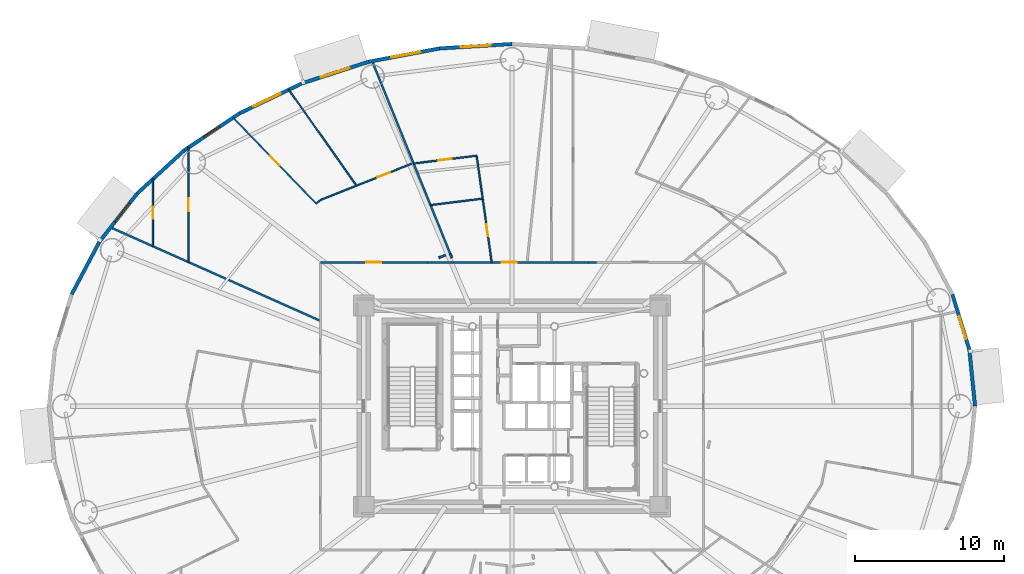
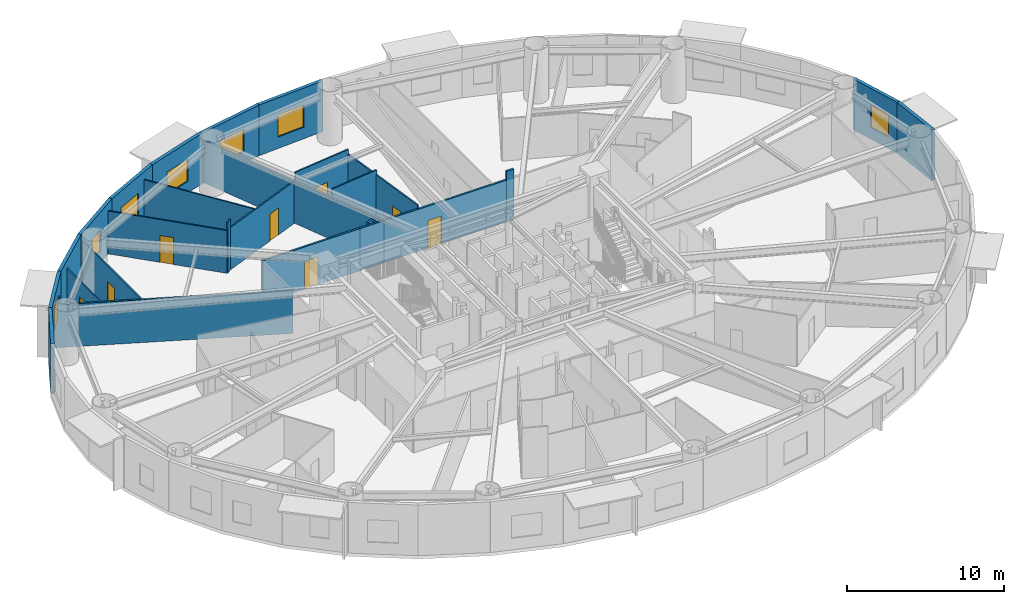
# One storey, part 11 of 20: 27 walls, 8 doors, 7 windows, 15 openings.
"""IFC4 building model written with IfcOpenShell, lengths in metres."""

from ifc_helpers import new_model, si_unit, direction, frame, frame_2d, origin, origin_2d, place, context, subcontext, project, spatial, rectangle, extrude, source, transform, mapped, material, layer, layer_set, type_object, element, fill, save


model = new_model("IFC4")

# Units and contexts
model_context = context("Model", 3, precision=1e-05, world=origin(), true_north=direction((0.0, 1.0)))
body_context = subcontext(model_context, "Body", "Model", "MODEL_VIEW")
ifc_project = project(units=[si_unit("LENGTHUNIT", "METRE"), si_unit("AREAUNIT", "SQUARE_METRE"), si_unit("VOLUMEUNIT", "CUBIC_METRE"), si_unit("PLANEANGLEUNIT", "RADIAN"), si_unit("MASSUNIT", "GRAM", prefix="KILO")], contexts=[model_context])

# Site, building, storey
site_placement = place(None, origin())
site = spatial("IfcSite", under=ifc_project, at=site_placement, CompositionType="ELEMENT")
building_placement = place(site_placement, origin())
building = spatial("IfcBuilding", under=site, at=building_placement, Name="Linh Dai School and Residence Tower", CompositionType="ELEMENT")
storey_placement = place(building_placement, frame((0.0, 0.0, 66.0)))
storey = spatial("IfcBuildingStorey", under=building, at=storey_placement, Name="L15", CompositionType="ELEMENT", Elevation=66.0)

# Wall
ifc_material_1 = material(Name="Precast Concrete B45 (C35/45)", Category="concrete")
ifc_layer_1 = layer(ifc_material_1, 0.239990234375)
ifc_layer_set_1 = layer_set([ifc_layer_1], Name="Precast Concrete B45 (C35/45)")
wall_type_1 = type_object("IfcWallType", Name="EW-TC-240", PredefinedType="SOLIDWALL", material=ifc_layer_set_1)
wall_1_placement = place(storey_placement, frame((66.693359375, 30.796875, 0.0), z_axis=(0.0, 0.0, 1.0), x_axis=(0.099997795174, -0.994987658698, 0.0)))
element("IfcWall", 1, at=wall_1_placement, inside=storey, type_object=wall_type_1, Name="L15 Terracotta Exterior Wall 01", PredefinedType="SOLIDWALL", context=body_context, shape_type="SweptSolid", body=[
    extrude(rectangle(XDim=3.81591796875, YDim=0.239990234375, at=frame_2d((1.907958984375, 0.0))), origin(), (0.0, 0.0, 1.0), 3.949951171875),
])

# Wall, opening, window
wall_2_placement = place(storey_placement, frame((65.5576171875, 34.50146484375, 0.0), z_axis=(0.0, 0.0, 1.0), x_axis=(0.293111631758, -0.956078224482, 0.0)))
wall_2 = element("IfcWall", 2, at=wall_2_placement, inside=storey, type_object=wall_type_1, Name="L15 Terracotta Exterior Wall 02", PredefinedType="SOLIDWALL", context=body_context, shape_type="SweptSolid", body=[
    extrude(rectangle(XDim=3.874755859375, YDim=0.239990234375, at=frame_2d((1.9375, 0.0))), origin(), (0.0, 0.0, 1.0), 3.949951171875),
])
opening_1_placement = place(wall_2_placement, frame((1.5341796875, 0.0, 0.89990234375)))
opening_1 = element("IfcOpeningElement", 3, at=opening_1_placement, cuts=wall_2, Name="Opening W2", PredefinedType="OPENING", context=body_context, shape_type="SweptSolid", body=[
    extrude(rectangle(XDim=1.60009765625, YDim=1.75, at=origin_2d()), frame((0.800048828125, 0.1298828125, 0.875), z_axis=(0.0, -1.0, 0.0), x_axis=(1.0, 0.0, 0.0)), (0.0, 0.0, 1.0), 0.260009765625),
])
ifc_material_2 = material(Name="Double Low-E Insulated Glazing", Category="glass")
window_type_1 = type_object("IfcWindowType", Name="WN-RES-1600x1750", PartitioningType="DOUBLE_PANEL_VERTICAL", PredefinedType="WINDOW", material=ifc_material_2)
shared_shape_1 = source(origin(), body_context, "Body", "SweptSolid", [
    extrude(rectangle(XDim=1.60009765625, YDim=1.75, at=origin_2d()), frame((0.800048828125, 0.030029296875, 0.875), z_axis=(0.0, -1.0, 0.0), x_axis=(1.0, 0.0, 0.0)), (0.0, 0.0, 1.0), 0.06005859375),
])
window_1_placement = place(opening_1_placement, origin())
window_1 = element("IfcWindow", 4, at=window_1_placement, inside=storey, type_object=window_type_1, Name="L15 Exterior Window 02.1", OverallHeight=1.75, OverallWidth=1.60009765625, PartitioningType="DOUBLE_PANEL_VERTICAL", PredefinedType="WINDOW", context=body_context, shape_type="MappedRepresentation", body=[
    mapped(shared_shape_1, transform((0.0, 0.0, 0.0), x_axis=(1.0, 0.0, 0.0), y_axis=(0.0, 1.0, 0.0), z_axis=(0.0, 0.0, 1.0), scale=1.0)),
])
fill(opening_1, window_1)

wall_3_placement = place(storey_placement, frame((31.134521484375, 51.005126953125, 0.0), z_axis=(0.0, 0.0, 1.0), x_axis=(0.998106954071, 0.061502099433, 0.0)))
wall_3 = element("IfcWall", 5, at=wall_3_placement, inside=storey, type_object=wall_type_1, Name="L15 Terracotta Exterior Wall 11", PredefinedType="SOLIDWALL", context=body_context, shape_type="SweptSolid", body=[
    extrude(rectangle(XDim=4.874755859375, YDim=0.239990234375, at=frame_2d((2.4375, 0.0))), origin(), (0.0, 0.0, 1.0), 3.949951171875),
])
opening_2_placement = place(wall_3_placement, frame((1.437255859375, 0.0, 0.89990234375)))
opening_2 = element("IfcOpeningElement", 6, at=opening_2_placement, cuts=wall_3, Name="Opening W1", PredefinedType="OPENING", context=body_context, shape_type="SweptSolid", body=[
    extrude(rectangle(XDim=2.0, YDim=1.75, at=origin_2d()), frame((1.0, 0.1298828125, 0.875), z_axis=(0.0, -1.0, 0.0), x_axis=(1.0, 0.0, 0.0)), (0.0, 0.0, 1.0), 0.260009765625),
])
window_type_2 = type_object("IfcWindowType", Name="WN-RES-2000x1750", PartitioningType="DOUBLE_PANEL_VERTICAL", PredefinedType="WINDOW", material=ifc_material_2)
shared_shape_2 = source(origin(), body_context, "Body", "SweptSolid", [
    extrude(rectangle(XDim=2.0, YDim=1.75, at=origin_2d()), frame((1.0, 0.030029296875, 0.875), z_axis=(0.0, -1.0, 0.0), x_axis=(1.0, 0.0, 0.0)), (0.0, 0.0, 1.0), 0.06005859375),
])
window_2_placement = place(opening_2_placement, origin())
window_2 = element("IfcWindow", 7, at=window_2_placement, inside=storey, type_object=window_type_2, Name="L15 Exterior Window 11.1", OverallHeight=1.75, OverallWidth=2.0, PartitioningType="DOUBLE_PANEL_VERTICAL", PredefinedType="WINDOW", context=body_context, shape_type="MappedRepresentation", body=[
    mapped(shared_shape_2, transform((0.0, 0.0, 0.0), x_axis=(1.0, 0.0, 0.0), y_axis=(0.0, 1.0, 0.0), z_axis=(0.0, 0.0, 1.0), scale=1.0)),
])
fill(opening_2, window_2)

wall_4_placement = place(storey_placement, frame((26.389404296875, 50.11328125, 0.0), z_axis=(0.0, 0.0, 1.0), x_axis=(0.982791952378, 0.184715939598, 0.0)))
wall_4 = element("IfcWall", 8, at=wall_4_placement, inside=storey, type_object=wall_type_1, Name="L15 Terracotta Exterior Wall 12", PredefinedType="SOLIDWALL", context=body_context, shape_type="SweptSolid", body=[
    extrude(rectangle(XDim=4.828125, YDim=0.239990234375, at=frame_2d((2.4140625, 0.0))), origin(), (0.0, 0.0, 1.0), 3.949951171875),
])
opening_3_placement = place(wall_4_placement, frame((1.536376953125, 0.0, 0.89990234375)))
opening_3 = element("IfcOpeningElement", 9, at=opening_3_placement, cuts=wall_4, Name="Opening W1", PredefinedType="OPENING", context=body_context, shape_type="SweptSolid", body=[
    extrude(rectangle(XDim=2.0, YDim=1.75, at=origin_2d()), frame((1.0, 0.1298828125, 0.875), z_axis=(0.0, -1.0, 0.0), x_axis=(1.0, 0.0, 0.0)), (0.0, 0.0, 1.0), 0.260009765625),
])
window_3_placement = place(opening_3_placement, origin())
window_3 = element("IfcWindow", 10, at=window_3_placement, inside=storey, type_object=window_type_2, Name="L15 Exterior Window 12.1", OverallHeight=1.75, OverallWidth=2.0, PartitioningType="DOUBLE_PANEL_VERTICAL", PredefinedType="WINDOW", context=body_context, shape_type="MappedRepresentation", body=[
    mapped(shared_shape_2, transform((0.0, 0.0, 0.0), x_axis=(1.0, 0.0, 0.0), y_axis=(0.0, 1.0, 0.0), z_axis=(0.0, 0.0, 1.0), scale=1.0)),
])
fill(opening_3, window_3)

wall_5_placement = place(storey_placement, frame((21.8818359375, 48.651123046875, 0.0), z_axis=(0.0, 0.0, 1.0), x_axis=(0.951207699013, 0.308551313946, 0.0)))
wall_5 = element("IfcWall", 11, at=wall_5_placement, inside=storey, type_object=wall_type_1, Name="L15 Terracotta Exterior Wall 13", PredefinedType="SOLIDWALL", context=body_context, shape_type="SweptSolid", body=[
    extrude(rectangle(XDim=4.73876953125, YDim=0.239990234375, at=frame_2d((2.369384765625, 0.0))), origin(), (0.0, 0.0, 1.0), 3.949951171875),
])
opening_4_placement = place(wall_5_placement, frame((1.369384765625, 0.0, 0.89990234375)))
opening_4 = element("IfcOpeningElement", 12, at=opening_4_placement, cuts=wall_5, Name="Opening W1", PredefinedType="OPENING", context=body_context, shape_type="SweptSolid", body=[
    extrude(rectangle(XDim=2.0, YDim=1.75, at=origin_2d()), frame((1.0, 0.1298828125, 0.875), z_axis=(0.0, -1.0, 0.0), x_axis=(1.0, 0.0, 0.0)), (0.0, 0.0, 1.0), 0.260009765625),
])
window_4_placement = place(opening_4_placement, origin())
window_4 = element("IfcWindow", 13, at=window_4_placement, inside=storey, type_object=window_type_2, Name="L15 Exterior Window 13.1", OverallHeight=1.75, OverallWidth=2.0, PartitioningType="DOUBLE_PANEL_VERTICAL", PredefinedType="WINDOW", context=body_context, shape_type="MappedRepresentation", body=[
    mapped(shared_shape_2, transform((0.0, 0.0, 0.0), x_axis=(1.0, 0.0, 0.0), y_axis=(0.0, 1.0, 0.0), z_axis=(0.0, 0.0, 1.0), scale=1.0)),
])
fill(opening_4, window_4)

wall_6_placement = place(storey_placement, frame((17.722900390625, 46.65576171875, 0.0), z_axis=(0.0, 0.0, 1.0), x_axis=(0.901601503137, 0.432567601123, 0.0)))
wall_6 = element("IfcWall", 14, at=wall_6_placement, inside=storey, type_object=wall_type_1, Name="L15 Terracotta Exterior Wall 14", PredefinedType="SOLIDWALL", context=body_context, shape_type="SweptSolid", body=[
    extrude(rectangle(XDim=4.61279296875, YDim=0.239990234375, at=frame_2d((2.306396484375, 0.0))), origin(), (0.0, 0.0, 1.0), 3.949951171875),
])
opening_5_placement = place(wall_6_placement, frame((1.03369140625, 0.0, 0.89990234375)))
opening_5 = element("IfcOpeningElement", 15, at=opening_5_placement, cuts=wall_6, Name="Opening W1", PredefinedType="OPENING", context=body_context, shape_type="SweptSolid", body=[
    extrude(rectangle(XDim=2.0, YDim=1.75, at=origin_2d()), frame((1.0, 0.1298828125, 0.875), z_axis=(0.0, -1.0, 0.0), x_axis=(1.0, 0.0, 0.0)), (0.0, 0.0, 1.0), 0.260009765625),
])
window_5_placement = place(opening_5_placement, origin())
window_5 = element("IfcWindow", 16, at=window_5_placement, inside=storey, type_object=window_type_2, Name="L15 Exterior Window 14.1", OverallHeight=1.75, OverallWidth=2.0, PartitioningType="DOUBLE_PANEL_VERTICAL", PredefinedType="WINDOW", context=body_context, shape_type="MappedRepresentation", body=[
    mapped(shared_shape_2, transform((0.0, 0.0, 0.0), x_axis=(1.0, 0.0, 0.0), y_axis=(0.0, 1.0, 0.0), z_axis=(0.0, 0.0, 1.0), scale=1.0)),
])
fill(opening_5, window_5)

wall_7_placement = place(storey_placement, frame((14.015380859375, 44.17626953125, 0.0), z_axis=(0.0, 0.0, 1.0), x_axis=(0.831240982525, 0.555912249343, 0.0)))
wall_7 = element("IfcWall", 17, at=wall_7_placement, inside=storey, type_object=wall_type_1, Name="L15 Terracotta Exterior Wall 15", PredefinedType="SOLIDWALL", context=body_context, shape_type="SweptSolid", body=[
    extrude(rectangle(XDim=4.460205078125, YDim=0.239990234375, at=frame_2d((2.22998046875, 0.0))), origin(), (0.0, 0.0, 1.0), 3.949951171875),
])
opening_6_placement = place(wall_7_placement, frame((1.5927734375, 0.0, 0.89990234375)))
opening_6 = element("IfcOpeningElement", 18, at=opening_6_placement, cuts=wall_7, Name="Opening W3", PredefinedType="OPENING", context=body_context, shape_type="SweptSolid", body=[
    extrude(rectangle(XDim=1.25, YDim=1.64990234375, at=origin_2d()), frame((0.625, 0.1298828125, 0.824951171875), z_axis=(0.0, -1.0, 0.0), x_axis=(1.0, 0.0, 0.0)), (0.0, 0.0, 1.0), 0.260009765625),
])
window_type_3 = type_object("IfcWindowType", Name="WN-RES-1250x1650", PartitioningType="SINGLE_PANEL", PredefinedType="WINDOW", material=ifc_material_2)
shared_shape_3 = source(origin(), body_context, "Body", "SweptSolid", [
    extrude(rectangle(XDim=1.25, YDim=1.64990234375, at=origin_2d()), frame((0.625, 0.030029296875, 0.824951171875), z_axis=(0.0, -1.0, 0.0), x_axis=(1.0, 0.0, 0.0)), (0.0, 0.0, 1.0), 0.06005859375),
])
window_6_placement = place(opening_6_placement, origin())
window_6 = element("IfcWindow", 19, at=window_6_placement, inside=storey, type_object=window_type_3, Name="L15 Dwelling Window U1504-LIV", OverallHeight=1.64990234375, OverallWidth=1.25, PartitioningType="SINGLE_PANEL", PredefinedType="WINDOW", context=body_context, shape_type="MappedRepresentation", body=[
    mapped(shared_shape_3, transform((0.0, 0.0, 0.0), x_axis=(1.0, 0.0, 0.0), y_axis=(0.0, 1.0, 0.0), z_axis=(0.0, 0.0, 1.0), scale=1.0)),
])
fill(opening_6, window_6)

# Wall
wall_8_placement = place(storey_placement, frame((10.850341796875, 41.274658203125, 0.0), z_axis=(0.0, 0.0, 1.0), x_axis=(0.737116376281, 0.67576582321, 0.0)))
element("IfcWall", 20, at=wall_8_placement, inside=storey, type_object=wall_type_1, Name="L15 Terracotta Exterior Wall 16", PredefinedType="SOLIDWALL", context=body_context, shape_type="SweptSolid", body=[
    extrude(rectangle(XDim=4.293701171875, YDim=0.239990234375, at=frame_2d((2.14697265625, 0.0))), origin(), (0.0, 0.0, 1.0), 3.949951171875),
])

# Wall, opening, window
wall_9_placement = place(storey_placement, frame((8.305419921875, 38.022705078125, 0.0), z_axis=(0.0, 0.0, 1.0), x_axis=(0.616295508253, 0.787514981767, 0.0)))
wall_9 = element("IfcWall", 21, at=wall_9_placement, inside=storey, type_object=wall_type_1, Name="L15 Terracotta Exterior Wall 17", PredefinedType="SOLIDWALL", context=body_context, shape_type="SweptSolid", body=[
    extrude(rectangle(XDim=4.12939453125, YDim=0.239990234375, at=frame_2d((2.064697265625, 0.0))), origin(), (0.0, 0.0, 1.0), 3.949951171875),
])
opening_7_placement = place(wall_9_placement, frame((1.70068359375, 0.0, 0.89990234375)))
opening_7 = element("IfcOpeningElement", 22, at=opening_7_placement, cuts=wall_9, Name="Opening W2", PredefinedType="OPENING", context=body_context, shape_type="SweptSolid", body=[
    extrude(rectangle(XDim=1.60009765625, YDim=1.75, at=origin_2d()), frame((0.800048828125, 0.1298828125, 0.875), z_axis=(0.0, -1.0, 0.0), x_axis=(1.0, 0.0, 0.0)), (0.0, 0.0, 1.0), 0.260009765625),
])
window_7_placement = place(opening_7_placement, origin())
window_7 = element("IfcWindow", 23, at=window_7_placement, inside=storey, type_object=window_type_1, Name="L15 Exterior Window 17.1", OverallHeight=1.75, OverallWidth=1.60009765625, PartitioningType="DOUBLE_PANEL_VERTICAL", PredefinedType="WINDOW", context=body_context, shape_type="MappedRepresentation", body=[
    mapped(shared_shape_1, transform((0.0, 0.0, 0.0), x_axis=(1.0, 0.0, 0.0), y_axis=(0.0, 1.0, 0.0), z_axis=(0.0, 0.0, 1.0), scale=1.0)),
])
fill(opening_7, window_7)

# Walls
wall_10_placement = place(storey_placement, frame((6.4423828125, 34.50146484375, 0.0), z_axis=(0.0, 0.0, 1.0), x_axis=(0.467662443071, 0.883907144072, 0.0)))
element("IfcWall", 24, at=wall_10_placement, inside=storey, type_object=wall_type_1, Name="L15 Terracotta Exterior Wall 18", PredefinedType="SOLIDWALL", context=body_context, shape_type="SweptSolid", body=[
    extrude(rectangle(XDim=3.983642578125, YDim=0.239990234375, at=frame_2d((1.99169921875, 0.0))), origin(), (0.0, 0.0, 1.0), 3.949951171875),
])
ifc_material_3 = material(Name="Autoclaved Aerated Concrete Blockwork", Category="masonry")
ifc_layer_2 = layer(ifc_material_3, 0.135009765625)
ifc_layer_set_2 = layer_set([ifc_layer_2], Name="Autoclaved Aerated Concrete Blockwork")
wall_type_2 = type_object("IfcWallType", Name="IW-CORR-135-EI90", PredefinedType="PARTITIONING", material=ifc_layer_set_2)
wall_11_placement = place(storey_placement, frame((9.0595703125, 38.99462890625, 0.0), z_axis=(0.0, 0.0, 1.0), x_axis=(0.913545036193, -0.406737589666, 0.0)))
element("IfcWall", 25, at=wall_11_placement, inside=storey, type_object=wall_type_2, Name="L15 Interior Partition Wall 003", PredefinedType="PARTITIONING", context=body_context, shape_type="SweptSolid", body=[
    extrude(rectangle(XDim=15.423828125, YDim=0.135009765625, at=frame_2d((7.7119140625, 0.0))), origin(), (0.0, 0.0, 1.0), 3.3349609375),
])

# Wall, opening, door
wall_12_placement = place(storey_placement, frame((23.14990234375, 36.64990234375, 0.0), z_axis=(0.0, 0.0, 1.0), x_axis=(1.0, 0.0, 0.0)))
wall_12 = element("IfcWall", 26, at=wall_12_placement, inside=storey, type_object=wall_type_2, Name="L15 Interior Partition Wall 022", PredefinedType="PARTITIONING", context=body_context, shape_type="SweptSolid", body=[
    extrude(rectangle(XDim=7.17138671875, YDim=0.135009765625, at=frame_2d((3.585693359375, 0.0))), origin(), (0.0, 0.0, 1.0), 3.284912109375),
])
opening_8_placement = place(wall_12_placement, frame((3.085693359375, 0.0, 0.0)))
opening_8 = element("IfcOpeningElement", 27, at=opening_8_placement, cuts=wall_12, Name="Opening D03", PredefinedType="OPENING", context=body_context, shape_type="SweptSolid", body=[
    extrude(rectangle(XDim=1.0, YDim=2.14990234375, at=origin_2d()), frame((0.5, 0.07763671875, 1.074951171875), z_axis=(0.0, -1.0, 0.0), x_axis=(1.0, 0.0, 0.0)), (0.0, 0.0, 1.0), 0.155029296875),
])
ifc_material_4 = material(Name="Fire-Rated Solid Timber Entrance Door", Category="wood")
door_type_1 = type_object("IfcDoorType", Name="DR-FLAT-1000x2150-FD60S", OperationType="NOTDEFINED", PredefinedType="DOOR", material=ifc_material_4)
shared_shape_4 = source(origin(), body_context, "Body", "SweptSolid", [
    extrude(rectangle(XDim=1.0, YDim=2.14990234375, at=origin_2d()), frame((0.5, 0.02490234375, 1.074951171875), z_axis=(0.0, -1.0, 0.0), x_axis=(1.0, 0.0, 0.0)), (0.0, 0.0, 1.0), 0.050048828125),
])
door_1_placement = place(opening_8_placement, origin())
door_1 = element("IfcDoor", 28, at=door_1_placement, inside=storey, type_object=door_type_1, Name="L15 U1504 Apartment Entrance Door", OperationType="SINGLE_SWING_RIGHT", OverallHeight=2.14990234375, OverallWidth=1.0, PredefinedType="DOOR", context=body_context, shape_type="MappedRepresentation", body=[
    mapped(shared_shape_4, transform((0.0, 0.0, 0.0), x_axis=(1.0, 0.0, 0.0), y_axis=(0.0, 1.0, 0.0), z_axis=(0.0, 0.0, 1.0), scale=1.0)),
])
fill(opening_8, door_1)

# Wall
wall_13_placement = place(storey_placement, frame((26.61083984375, 50.159912109375, 0.0), z_axis=(0.0, 0.0, 1.0), x_axis=(0.375705515061, -0.926739103498, 0.0)))
element("IfcWall", 29, at=wall_13_placement, inside=storey, type_object=wall_type_2, Name="L15 Interior Partition Wall 024", PredefinedType="PARTITIONING", context=body_context, shape_type="SweptSolid", body=[
    extrude(rectangle(XDim=13.947021484375, YDim=0.135009765625, at=frame_2d((6.9736328125, 0.0))), origin(), (0.0, 0.0, 1.0), 3.284912109375),
])

# Wall, opening, door
wall_14_placement = place(storey_placement, frame((32.087890625, 36.64990234375, 0.0), z_axis=(0.0, 0.0, 1.0), x_axis=(1.0, 0.0, 0.0)))
wall_14 = element("IfcWall", 30, at=wall_14_placement, inside=storey, type_object=wall_type_2, Name="L15 Interior Partition Wall 042", PredefinedType="PARTITIONING", context=body_context, shape_type="SweptSolid", body=[
    extrude(rectangle(XDim=9.035888671875, YDim=0.135009765625, at=frame_2d((4.51806640625, 0.0))), origin(), (0.0, 0.0, 1.0), 3.284912109375),
])
opening_9_placement = place(wall_14_placement, frame((3.23828125, 0.0, 0.0)))
opening_9 = element("IfcOpeningElement", 31, at=opening_9_placement, cuts=wall_14, Name="Opening D03", PredefinedType="OPENING", context=body_context, shape_type="SweptSolid", body=[
    extrude(rectangle(XDim=1.0, YDim=2.14990234375, at=origin_2d()), frame((0.5, 0.07763671875, 1.074951171875), z_axis=(0.0, -1.0, 0.0), x_axis=(1.0, 0.0, 0.0)), (0.0, 0.0, 1.0), 0.155029296875),
])
door_2_placement = place(opening_9_placement, origin())
door_2 = element("IfcDoor", 32, at=door_2_placement, inside=storey, type_object=door_type_1, Name="L15 U1503 Apartment Entrance Door", OperationType="SINGLE_SWING_LEFT", OverallHeight=2.14990234375, OverallWidth=1.0, PredefinedType="DOOR", context=body_context, shape_type="MappedRepresentation", body=[
    mapped(shared_shape_4, transform((0.0, 0.0, 0.0), x_axis=(1.0, 0.0, 0.0), y_axis=(0.0, 1.0, 0.0), z_axis=(0.0, 0.0, 1.0), scale=1.0)),
])
fill(opening_9, door_2)

# Walls
wall_15_placement = place(storey_placement, frame((30.331298828125, 36.64990234375, 0.0), z_axis=(0.0, 0.0, 1.0), x_axis=(1.0, 0.0, 0.0)))
element("IfcWall", 33, at=wall_15_placement, inside=storey, type_object=wall_type_2, Name="L15 Interior Partition Wall 116", PredefinedType="PARTITIONING", context=body_context, shape_type="SweptSolid", body=[
    extrude(rectangle(XDim=1.74658203125, YDim=0.135009765625, at=frame_2d((0.873291015625, 0.0))), origin(), (0.0, 0.0, 1.0), 3.284912109375),
])
wall_16_placement = place(storey_placement, frame((41.1337890625, 36.64990234375, 0.0), z_axis=(0.0, 0.0, 1.0), x_axis=(1.0, 0.0, 0.0)))
element("IfcWall", 34, at=wall_16_placement, inside=storey, type_object=wall_type_2, Name="L15 Interior Partition Wall 117", PredefinedType="PARTITIONING", context=body_context, shape_type="SweptSolid", body=[
    extrude(rectangle(XDim=0.534912109375, YDim=0.135009765625, at=frame_2d((0.267578125, 0.0))), origin(), (0.0, 0.0, 1.0), 3.949951171875),
])
wall_17_placement = place(storey_placement, frame((31.537841796875, 37.13525390625, 0.0), z_axis=(0.0, 0.0, 1.0), x_axis=(-0.928897092386, -0.370337942638, 0.0)))
element("IfcWall", 35, at=wall_17_placement, inside=storey, type_object=wall_type_2, Name="L15 Interior Partition Wall 130", PredefinedType="PARTITIONING", context=body_context, shape_type="SweptSolid", body=[
    extrude(rectangle(XDim=0.47998046875, YDim=0.135009765625, at=frame_2d((0.239990234375, 0.0))), origin(), (0.0, 0.0, 1.0), 3.284912109375),
])
ifc_layer_3 = layer(ifc_material_3, 0.14990234375)
ifc_layer_set_3 = layer_set([ifc_layer_3], Name="Autoclaved Aerated Concrete Blockwork")
wall_type_3 = type_object("IfcWallType", Name="IW-SCH-150-EI60", PredefinedType="PARTITIONING", material=ifc_layer_set_3)
wall_18_placement = place(storey_placement, frame((31.963134765625, 36.95751953125, 0.0), z_axis=(0.0, 0.0, 1.0), x_axis=(-0.375901177524, 0.926659756727, 0.0)))
element("IfcWall", 36, at=wall_18_placement, inside=storey, type_object=wall_type_3, Name="L15 Interior Partition Wall 129", PredefinedType="PARTITIONING", context=body_context, shape_type="SweptSolid", body=[
    extrude(rectangle(XDim=0.2890625, YDim=0.14990234375, at=frame_2d((0.14453125, 0.0))), origin(), (0.0, 0.0, 1.0), 3.284912109375),
])

# Wall, opening, door
ifc_material_5 = material(Name="Gypsum Plasterboard Acoustic Stud Partition", Category="masonry")
ifc_layer_4 = layer(ifc_material_5, 0.10009765625)
ifc_layer_set_4 = layer_set([ifc_layer_4], Name="Gypsum Plasterboard Acoustic Stud Partition")
wall_type_4 = type_object("IfcWallType", Name="IW-UNIT-100", PredefinedType="PARTITIONING", material=ifc_layer_set_4)
wall_19_placement = place(storey_placement, frame((11.90185546875, 37.729248046875, 0.0), z_axis=(0.0, 0.0, 1.0), x_axis=(0.0, 1.0, 0.0)))
wall_19 = element("IfcWall", 37, at=wall_19_placement, inside=storey, type_object=wall_type_4, Name="L15 Interior Partition Wall 005", PredefinedType="PARTITIONING", context=body_context, shape_type="SweptSolid", body=[
    extrude(rectangle(XDim=4.51611328125, YDim=0.10009765625, at=frame_2d((2.258056640625, 0.0))), origin(), (0.0, 0.0, 1.0), 3.3349609375),
])
opening_10_placement = place(wall_19_placement, frame((1.84814453125, 0.0, 0.0)))
opening_10 = element("IfcOpeningElement", 38, at=opening_10_placement, cuts=wall_19, Name="Opening D06", PredefinedType="OPENING", context=body_context, shape_type="SweptSolid", body=[
    extrude(rectangle(XDim=0.820068359375, YDim=2.10009765625, at=origin_2d()), frame((0.41015625, 0.06005859375, 1.050048828125), z_axis=(0.0, -1.0, 0.0), x_axis=(1.0, 0.0, 0.0)), (0.0, 0.0, 1.0), 0.1201171875),
])
ifc_material_6 = material(Name="Moisture-Resistant Timber Bathroom Door", Category="wood")
door_type_2 = type_object("IfcDoorType", Name="DR-WET-820x2100", OperationType="NOTDEFINED", PredefinedType="DOOR", material=ifc_material_6)
shared_shape_5 = source(origin(), body_context, "Body", "SweptSolid", [
    extrude(rectangle(XDim=0.820068359375, YDim=2.10009765625, at=origin_2d()), frame((0.41015625, 0.02490234375, 1.050048828125), z_axis=(0.0, -1.0, 0.0), x_axis=(1.0, 0.0, 0.0)), (0.0, 0.0, 1.0), 0.050048828125),
])
door_3_placement = place(opening_10_placement, origin())
door_3 = element("IfcDoor", 39, at=door_3_placement, inside=storey, type_object=door_type_2, Name="L15 Apartment U1504 Bathroom 1 Door", OperationType="SINGLE_SWING_RIGHT", OverallHeight=2.10009765625, OverallWidth=0.820068359375, PredefinedType="DOOR", context=body_context, shape_type="MappedRepresentation", body=[
    mapped(shared_shape_5, transform((0.0, 0.0, 0.0), x_axis=(1.0, 0.0, 0.0), y_axis=(0.0, 1.0, 0.0), z_axis=(0.0, 0.0, 1.0), scale=1.0)),
])
fill(opening_10, door_3)

wall_20_placement = place(storey_placement, frame((14.295654296875, 36.663330078125, 0.0), z_axis=(0.0, 0.0, 1.0), x_axis=(0.0, 1.0, 0.0)))
wall_20 = element("IfcWall", 40, at=wall_20_placement, inside=storey, type_object=wall_type_4, Name="L15 Interior Partition Wall 010", PredefinedType="PARTITIONING", context=body_context, shape_type="SweptSolid", body=[
    extrude(rectangle(XDim=7.706298828125, YDim=0.10009765625, at=frame_2d((3.85302734375, 0.0))), origin(), (0.0, 0.0, 1.0), 3.3349609375),
])
opening_11_placement = place(wall_20_placement, frame((3.4033203125, 0.0, 0.0)))
opening_11 = element("IfcOpeningElement", 41, at=opening_11_placement, cuts=wall_20, Name="Opening D05", PredefinedType="OPENING", context=body_context, shape_type="SweptSolid", body=[
    extrude(rectangle(XDim=0.89990234375, YDim=2.10009765625, at=origin_2d()), frame((0.449951171875, 0.06005859375, 1.050048828125), z_axis=(0.0, -1.0, 0.0), x_axis=(1.0, 0.0, 0.0)), (0.0, 0.0, 1.0), 0.1201171875),
])
ifc_material_7 = material(Name="Engineered Timber Internal Door", Category="wood")
door_type_3 = type_object("IfcDoorType", Name="DR-INT-900x2100", OperationType="NOTDEFINED", PredefinedType="DOOR", material=ifc_material_7)
shared_shape_6 = source(origin(), body_context, "Body", "SweptSolid", [
    extrude(rectangle(XDim=0.89990234375, YDim=2.10009765625, at=origin_2d()), frame((0.449951171875, 0.02490234375, 1.050048828125), z_axis=(0.0, -1.0, 0.0), x_axis=(1.0, 0.0, 0.0)), (0.0, 0.0, 1.0), 0.050048828125),
])
door_4_placement = place(opening_11_placement, origin())
door_4 = element("IfcDoor", 42, at=door_4_placement, inside=storey, type_object=door_type_3, Name="L15 Apartment U1504 Kitchen Door", OperationType="SINGLE_SWING_LEFT", OverallHeight=2.10009765625, OverallWidth=0.89990234375, PredefinedType="DOOR", context=body_context, shape_type="MappedRepresentation", body=[
    mapped(shared_shape_6, transform((0.0, 0.0, 0.0), x_axis=(1.0, 0.0, 0.0), y_axis=(0.0, 1.0, 0.0), z_axis=(0.0, 0.0, 1.0), scale=1.0)),
])
fill(opening_11, door_4)

wall_21_placement = place(storey_placement, frame((17.278076171875, 46.3642578125, 0.0), z_axis=(0.0, 0.0, 1.0), x_axis=(0.695065082159, -0.718946821096, 0.0)))
wall_21 = element("IfcWall", 43, at=wall_21_placement, inside=storey, type_object=wall_type_4, Name="L15 Interior Partition Wall 013", PredefinedType="PARTITIONING", context=body_context, shape_type="SweptSolid", body=[
    extrude(rectangle(XDim=8.02490234375, YDim=0.10009765625, at=frame_2d((4.012451171875, 0.0))), origin(), (0.0, 0.0, 1.0), 3.3349609375),
])
opening_12_placement = place(wall_21_placement, frame((3.5625, 0.0, 0.0)))
opening_12 = element("IfcOpeningElement", 44, at=opening_12_placement, cuts=wall_21, Name="Opening D05", PredefinedType="OPENING", context=body_context, shape_type="SweptSolid", body=[
    extrude(rectangle(XDim=0.89990234375, YDim=2.10009765625, at=origin_2d()), frame((0.449951171875, 0.06005859375, 1.050048828125), z_axis=(0.0, -1.0, 0.0), x_axis=(1.0, 0.0, 0.0)), (0.0, 0.0, 1.0), 0.1201171875),
])
door_5_placement = place(opening_12_placement, origin())
door_5 = element("IfcDoor", 45, at=door_5_placement, inside=storey, type_object=door_type_3, Name="L15 Apartment U1504 Study Door", OperationType="SINGLE_SWING_RIGHT", OverallHeight=2.10009765625, OverallWidth=0.89990234375, PredefinedType="DOOR", context=body_context, shape_type="MappedRepresentation", body=[
    mapped(shared_shape_6, transform((0.0, 0.0, 0.0), x_axis=(1.0, 0.0, 0.0), y_axis=(0.0, 1.0, 0.0), z_axis=(0.0, 0.0, 1.0), scale=1.0)),
])
fill(opening_12, door_5)

# Walls
wall_22_placement = place(storey_placement, frame((21.017822265625, 48.2421875, 0.0), z_axis=(0.0, 0.0, 1.0), x_axis=(0.576363688098, -0.817193305799, 0.0)))
element("IfcWall", 46, at=wall_22_placement, inside=storey, type_object=wall_type_4, Name="L15 Interior Partition Wall 017", PredefinedType="PARTITIONING", context=body_context, shape_type="SweptSolid", body=[
    extrude(rectangle(XDim=7.89111328125, YDim=0.10009765625, at=frame_2d((3.945556640625, 0.0))), origin(), (0.0, 0.0, 1.0), 3.3349609375),
])
wall_23_placement = place(storey_placement, frame((22.85595703125, 40.5947265625, 0.0), z_axis=(0.0, 0.0, 1.0), x_axis=(0.787425680638, 0.616409602027, 0.0)))
element("IfcWall", 47, at=wall_23_placement, inside=storey, type_object=wall_type_4, Name="L15 Interior Partition Wall 018", PredefinedType="PARTITIONING", context=body_context, shape_type="SweptSolid", body=[
    extrude(rectangle(XDim=0.3896484375, YDim=0.10009765625, at=frame_2d((0.19482421875, 0.0))), origin(), (0.0, 0.0, 1.0), 3.949951171875),
])

# Wall, opening, door
wall_24_placement = place(storey_placement, frame((23.162841796875, 40.8349609375, 0.0), z_axis=(0.0, 0.0, 1.0), x_axis=(0.928807683782, 0.370562122386, 0.0)))
wall_24 = element("IfcWall", 48, at=wall_24_placement, inside=storey, type_object=wall_type_4, Name="L15 Interior Partition Wall 023", PredefinedType="PARTITIONING", context=body_context, shape_type="SweptSolid", body=[
    extrude(rectangle(XDim=6.5546875, YDim=0.10009765625, at=frame_2d((3.27734375, 0.0))), origin(), (0.0, 0.0, 1.0), 3.284912109375),
])
opening_13_placement = place(wall_24_placement, frame((4.101318359375, 0.0, 0.0)))
opening_13 = element("IfcOpeningElement", 49, at=opening_13_placement, cuts=wall_24, Name="Opening D05", PredefinedType="OPENING", context=body_context, shape_type="SweptSolid", body=[
    extrude(rectangle(XDim=0.89990234375, YDim=2.10009765625, at=origin_2d()), frame((0.449951171875, 0.06005859375, 1.050048828125), z_axis=(0.0, -1.0, 0.0), x_axis=(1.0, 0.0, 0.0)), (0.0, 0.0, 1.0), 0.1201171875),
])
door_6_placement = place(opening_13_placement, origin())
door_6 = element("IfcDoor", 50, at=door_6_placement, inside=storey, type_object=door_type_3, Name="L15 Apartment U1504 Principal Bedroom 1 Door", OperationType="SINGLE_SWING_LEFT", OverallHeight=2.10009765625, OverallWidth=0.89990234375, PredefinedType="DOOR", context=body_context, shape_type="MappedRepresentation", body=[
    mapped(shared_shape_6, transform((0.0, 0.0, 0.0), x_axis=(1.0, 0.0, 0.0), y_axis=(0.0, 1.0, 0.0), z_axis=(0.0, 0.0, 1.0), scale=1.0)),
])
fill(opening_13, door_6)

wall_25_placement = place(storey_placement, frame((29.399169921875, 43.282470703125, 0.0), z_axis=(0.0, 0.0, 1.0), x_axis=(0.992398165626, 0.123068602261, 0.0)))
wall_25 = element("IfcWall", 51, at=wall_25_placement, inside=storey, type_object=wall_type_4, Name="L15 Interior Partition Wall 031", PredefinedType="PARTITIONING", context=body_context, shape_type="SweptSolid", body=[
    extrude(rectangle(XDim=4.26123046875, YDim=0.10009765625, at=frame_2d((2.130615234375, 0.0))), origin(), (0.0, 0.0, 1.0), 3.949951171875),
])
opening_14_placement = place(wall_25_placement, frame((1.6806640625, 0.0, 0.0)))
opening_14 = element("IfcOpeningElement", 52, at=opening_14_placement, cuts=wall_25, Name="Opening D05", PredefinedType="OPENING", context=body_context, shape_type="SweptSolid", body=[
    extrude(rectangle(XDim=0.89990234375, YDim=2.10009765625, at=origin_2d()), frame((0.449951171875, 0.06005859375, 1.050048828125), z_axis=(0.0, -1.0, 0.0), x_axis=(1.0, 0.0, 0.0)), (0.0, 0.0, 1.0), 0.1201171875),
])
door_7_placement = place(opening_14_placement, origin())
door_7 = element("IfcDoor", 53, at=door_7_placement, inside=storey, type_object=door_type_3, Name="L15 Apartment U1503 Kitchen Door", OperationType="SINGLE_SWING_LEFT", OverallHeight=2.10009765625, OverallWidth=0.89990234375, PredefinedType="DOOR", context=body_context, shape_type="MappedRepresentation", body=[
    mapped(shared_shape_6, transform((0.0, 0.0, 0.0), x_axis=(1.0, 0.0, 0.0), y_axis=(0.0, 1.0, 0.0), z_axis=(0.0, 0.0, 1.0), scale=1.0)),
])
fill(opening_14, door_7)

# Wall
wall_26_placement = place(storey_placement, frame((30.53076171875, 40.4912109375, 0.0), z_axis=(0.0, 0.0, 1.0), x_axis=(0.99240396164, 0.123021855464, 0.0)))
element("IfcWall", 54, at=wall_26_placement, inside=storey, type_object=wall_type_4, Name="L15 Interior Partition Wall 034", PredefinedType="PARTITIONING", context=body_context, shape_type="SweptSolid", body=[
    extrude(rectangle(XDim=3.530517578125, YDim=0.10009765625, at=frame_2d((1.76513671875, 0.0))), origin(), (0.0, 0.0, 1.0), 3.949951171875),
])

# Wall, opening, door
wall_27_placement = place(storey_placement, frame((33.6279296875, 43.806884765625, 0.0), z_axis=(0.0, 0.0, 1.0), x_axis=(0.1397376792, -0.990188558312, 0.0)))
wall_27 = element("IfcWall", 55, at=wall_27_placement, inside=storey, type_object=wall_type_4, Name="L15 Interior Partition Wall 043", PredefinedType="PARTITIONING", context=body_context, shape_type="SweptSolid", body=[
    extrude(rectangle(XDim=7.227783203125, YDim=0.10009765625, at=frame_2d((3.61376953125, 0.0))), origin(), (0.0, 0.0, 1.0), 3.574951171875),
])
opening_15_placement = place(wall_27_placement, frame((4.638671875, 0.0, 0.0)))
opening_15 = element("IfcOpeningElement", 56, at=opening_15_placement, cuts=wall_27, Name="Opening D06", PredefinedType="OPENING", context=body_context, shape_type="SweptSolid", body=[
    extrude(rectangle(XDim=0.820068359375, YDim=2.10009765625, at=origin_2d()), frame((0.41015625, 0.06005859375, 1.050048828125), z_axis=(0.0, -1.0, 0.0), x_axis=(1.0, 0.0, 0.0)), (0.0, 0.0, 1.0), 0.1201171875),
])
door_8_placement = place(opening_15_placement, origin())
door_8 = element("IfcDoor", 57, at=door_8_placement, inside=storey, type_object=door_type_2, Name="L15 Apartment U1503 Bathroom Door", OperationType="SINGLE_SWING_RIGHT", OverallHeight=2.10009765625, OverallWidth=0.820068359375, PredefinedType="DOOR", context=body_context, shape_type="MappedRepresentation", body=[
    mapped(shared_shape_5, transform((0.0, 0.0, 0.0), x_axis=(1.0, 0.0, 0.0), y_axis=(0.0, 1.0, 0.0), z_axis=(0.0, 0.0, 1.0), scale=1.0)),
])
fill(opening_15, door_8)

save(model, "model.ifc")
